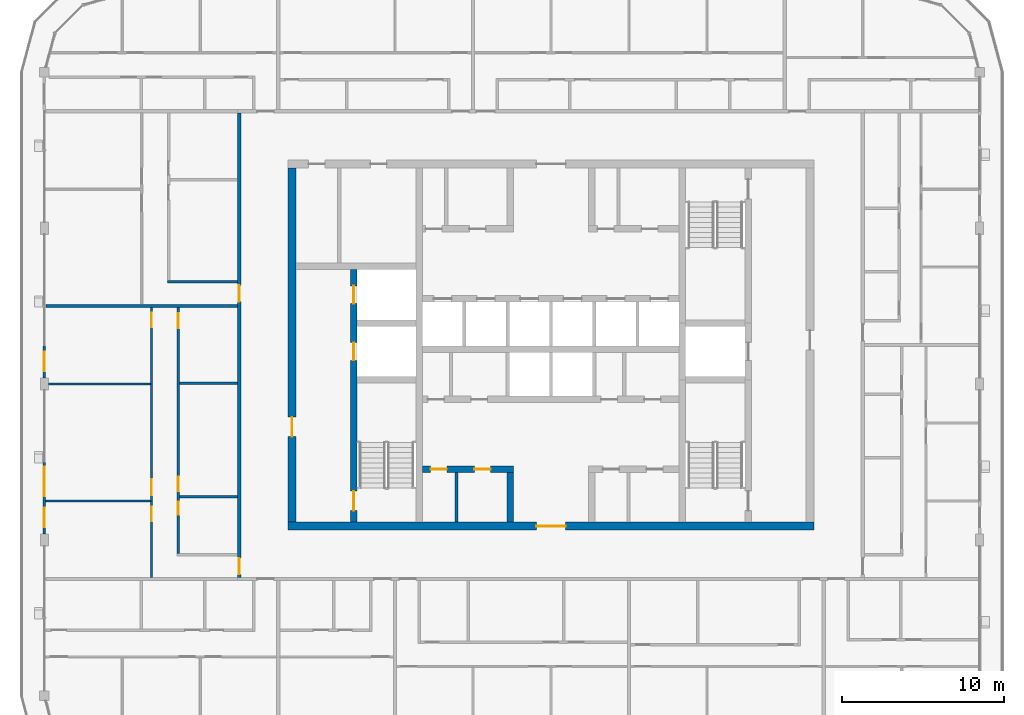
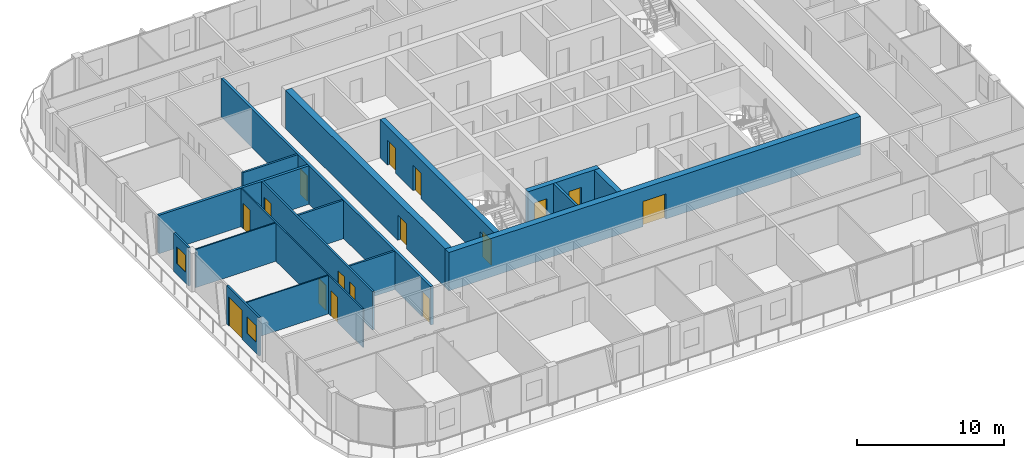
# One storey, part 10 of 22: 17 walls, 16 doors, 2 windows, 18 openings.
"""IFC4 building model written with IfcOpenShell, lengths in metres."""

from ifc_helpers import new_model, si_unit, direction, frame, frame_2d, origin, place, context, subcontext, project, spatial, rectangle, extrude, material, layer, layer_set, type_object, element, fill, save


model = new_model("IFC4")

# Units and contexts
model_context = context("Model", 3, precision=1e-05, world=origin(), true_north=direction((0.0, 1.0)))
body_context = subcontext(model_context, "Body", "Model", "MODEL_VIEW")
ifc_project = project(units=[si_unit("LENGTHUNIT", "METRE"), si_unit("AREAUNIT", "SQUARE_METRE"), si_unit("VOLUMEUNIT", "CUBIC_METRE"), si_unit("PLANEANGLEUNIT", "RADIAN"), si_unit("MASSUNIT", "GRAM", prefix="KILO")], contexts=[model_context])

# Site, building, storey
site_placement = place(None, origin())
site = spatial("IfcSite", under=ifc_project, at=site_placement, CompositionType="ELEMENT")
building_placement = place(site_placement, origin())
building = spatial("IfcBuilding", under=site, at=building_placement, Name="Madar Terraces", CompositionType="ELEMENT")
storey_placement = place(building_placement, frame((0.0, 0.0, 279.10009765625)))
storey = spatial("IfcBuildingStorey", under=building, at=storey_placement, Name="L73", CompositionType="ELEMENT", Elevation=279.10009765625)

# Wall, openings, doors
ifc_material_1 = material(Name="Concrete C50/60", Category="concrete")
ifc_layer_1 = layer(ifc_material_1, 0.39990234375)
ifc_layer_set_1 = layer_set([ifc_layer_1], Name="Concrete C50/60 (CIW6 RC wall 400)")
wall_type_1 = type_object("IfcWallType", Name="CIW6 RC wall 400", PredefinedType="SHEAR", material=ifc_layer_set_1)
wall_1_placement = place(storey_placement, frame((19.050048828125, 15.5, 0.0), z_axis=(0.0, 0.0, 1.0), x_axis=(0.0, 1.0, 0.0)))
wall_1 = element("IfcWall", 1, at=wall_1_placement, inside=storey, type_object=wall_type_1, Name="CORE SHAFT WALL", PredefinedType="SHEAR", context=body_context, shape_type="SweptSolid", body=[
    extrude(rectangle(XDim=15.550048828125, YDim=0.39990234375, at=frame_2d((7.77490234375, 0.0))), origin(), (0.0, 0.0, 1.0), 3.199951171875),
])
opening_1_placement = place(wall_1_placement, frame((9.949951171875, 0.0, 0.0)))
opening_1 = element("IfcOpeningElement", 2, at=opening_1_placement, cuts=wall_1, Name="Opening LD", PredefinedType="OPENING", context=body_context, shape_type="SweptSolid", body=[
    extrude(rectangle(XDim=1.10009765625, YDim=2.10009765625, at=frame_2d((0.550048828125, 1.050048828125))), frame((0.0, 0.2099609375, 0.0), z_axis=(0.0, -1.0, 0.0), x_axis=(1.0, 0.0, 0.0)), (0.0, 0.0, 1.0), 0.419921875),
])
opening_2_placement = place(wall_1_placement, frame((13.449951171875, 0.0, 0.0)))
opening_2 = element("IfcOpeningElement", 3, at=opening_2_placement, cuts=wall_1, Name="Opening LD", PredefinedType="OPENING", context=body_context, shape_type="SweptSolid", body=[
    extrude(rectangle(XDim=1.10009765625, YDim=2.10009765625, at=frame_2d((0.550048828125, 1.050048828125))), frame((0.0, 0.2099609375, 0.0), z_axis=(0.0, -1.0, 0.0), x_axis=(1.0, 0.0, 0.0)), (0.0, 0.0, 1.0), 0.419921875),
])
opening_3_placement = place(wall_1_placement, frame((0.699951171875, 0.0, 0.0)))
opening_3 = element("IfcOpeningElement", 4, at=opening_3_placement, cuts=wall_1, Name="Opening SD1", PredefinedType="OPENING", context=body_context, shape_type="SweptSolid", body=[
    extrude(rectangle(XDim=1.199951171875, YDim=2.10009765625, at=frame_2d((0.60009765625, 1.050048828125))), frame((0.0, 0.2099609375, 0.0), z_axis=(0.0, -1.0, 0.0), x_axis=(1.0, 0.0, 0.0)), (0.0, 0.0, 1.0), 0.419921875),
])
ifc_material_2 = material(Name="Stainless steel panel", Category="steel")
door_type_1 = type_object("IfcDoorType", Name="Lift landing door 1100 x 2100", OperationType="DOUBLE_DOOR_SLIDING", PredefinedType="DOOR", material=ifc_material_2)
door_1_placement = place(opening_1_placement, origin())
door_1 = element("IfcDoor", 5, at=door_1_placement, inside=storey, type_object=door_type_1, Name="LIFT LANDING DOOR", OperationType="DOUBLE_DOOR_SLIDING", OverallHeight=2.10009765625, OverallWidth=1.10009765625, PredefinedType="DOOR", context=body_context, shape_type="SweptSolid", body=[
    extrude(rectangle(XDim=1.10009765625, YDim=2.10009765625, at=frame_2d((0.550048828125, 1.050048828125))), frame((0.0, 0.02490234375, 0.0), z_axis=(0.0, -1.0, 0.0), x_axis=(1.0, 0.0, 0.0)), (0.0, 0.0, 1.0), 0.050048828125),
])
fill(opening_1, door_1)
door_2_placement = place(opening_2_placement, origin())
door_2 = element("IfcDoor", 6, at=door_2_placement, inside=storey, type_object=door_type_1, Name="LIFT LANDING DOOR", OperationType="DOUBLE_DOOR_SLIDING", OverallHeight=2.10009765625, OverallWidth=1.10009765625, PredefinedType="DOOR", context=body_context, shape_type="SweptSolid", body=[
    extrude(rectangle(XDim=1.10009765625, YDim=2.10009765625, at=frame_2d((0.550048828125, 1.050048828125))), frame((0.0, 0.02490234375, 0.0), z_axis=(0.0, -1.0, 0.0), x_axis=(1.0, 0.0, 0.0)), (0.0, 0.0, 1.0), 0.050048828125),
])
fill(opening_2, door_2)
ifc_material_3 = material(Name="Steel door leaf", Category="steel")
door_type_2 = type_object("IfcDoorType", Name="Stair door 1200 x 2100", OperationType="NOTDEFINED", PredefinedType="DOOR", material=ifc_material_3)
door_3_placement = place(opening_3_placement, frame((1.199951171875, 0.0, 0.0), z_axis=(0.0, 0.0, 1.0), x_axis=(-1.0, 0.0, 0.0)))
door_3 = element("IfcDoor", 7, at=door_3_placement, inside=storey, type_object=door_type_2, Name="STAIR DOOR", OperationType="SINGLE_SWING_LEFT", OverallHeight=2.10009765625, OverallWidth=1.199951171875, PredefinedType="DOOR", context=body_context, shape_type="SweptSolid", body=[
    extrude(rectangle(XDim=1.199951171875, YDim=2.10009765625, at=frame_2d((0.60009765625, 1.050048828125))), frame((0.0, 0.02490234375, 0.0), z_axis=(0.0, -1.0, 0.0), x_axis=(1.0, 0.0, 0.0)), (0.0, 0.0, 1.0), 0.050048828125),
])
fill(opening_3, door_3)

wall_2_placement = place(storey_placement, frame((23.300048828125, 18.75, 0.0), z_axis=(0.0, 0.0, 1.0), x_axis=(1.0, 0.0, 0.0)))
wall_2 = element("IfcWall", 8, at=wall_2_placement, inside=storey, type_object=wall_type_1, Name="CORE SHAFT WALL", PredefinedType="SHEAR", context=body_context, shape_type="SweptSolid", body=[
    extrude(rectangle(XDim=5.599853515625, YDim=0.39990234375, at=frame_2d((2.7998046875, 0.0))), origin(), (0.0, 0.0, 1.0), 3.199951171875),
])
opening_4_placement = place(wall_2_placement, frame((0.489990234375, 0.0, 0.0)))
opening_4 = element("IfcOpeningElement", 9, at=opening_4_placement, cuts=wall_2, Name="Opening KD2", PredefinedType="OPENING", context=body_context, shape_type="SweptSolid", body=[
    extrude(rectangle(XDim=1.0, YDim=2.10009765625, at=frame_2d((0.5, 1.050048828125))), frame((0.0, 0.2099609375, 0.0), z_axis=(0.0, -1.0, 0.0), x_axis=(1.0, 0.0, 0.0)), (0.0, 0.0, 1.0), 0.419921875),
])
opening_5_placement = place(wall_2_placement, frame((3.18994140625, 0.0, 0.0)))
opening_5 = element("IfcOpeningElement", 10, at=opening_5_placement, cuts=wall_2, Name="Opening KD2", PredefinedType="OPENING", context=body_context, shape_type="SweptSolid", body=[
    extrude(rectangle(XDim=1.0, YDim=2.10009765625, at=frame_2d((0.5, 1.050048828125))), frame((0.0, 0.2099609375, 0.0), z_axis=(0.0, -1.0, 0.0), x_axis=(1.0, 0.0, 0.0)), (0.0, 0.0, 1.0), 0.419921875),
])
ifc_material_4 = material(Name="Steel door leaf", Category="steel")
door_type_3 = type_object("IfcDoorType", Name="Service room door 1000 x 2100", OperationType="NOTDEFINED", PredefinedType="DOOR", material=ifc_material_4)
door_4_placement = place(opening_4_placement, origin())
door_4 = element("IfcDoor", 11, at=door_4_placement, inside=storey, type_object=door_type_3, Name="SERVICE ROOM DOOR", OperationType="SINGLE_SWING_RIGHT", OverallHeight=2.10009765625, OverallWidth=1.0, PredefinedType="DOOR", context=body_context, shape_type="SweptSolid", body=[
    extrude(rectangle(XDim=1.0, YDim=2.10009765625, at=frame_2d((0.5, 1.050048828125))), frame((0.0, 0.02490234375, 0.0), z_axis=(0.0, -1.0, 0.0), x_axis=(1.0, 0.0, 0.0)), (0.0, 0.0, 1.0), 0.050048828125),
])
fill(opening_4, door_4)
door_5_placement = place(opening_5_placement, origin())
door_5 = element("IfcDoor", 12, at=door_5_placement, inside=storey, type_object=door_type_3, Name="SERVICE ROOM DOOR", OperationType="SINGLE_SWING_LEFT", OverallHeight=2.10009765625, OverallWidth=1.0, PredefinedType="DOOR", context=body_context, shape_type="SweptSolid", body=[
    extrude(rectangle(XDim=1.0, YDim=2.10009765625, at=frame_2d((0.5, 1.050048828125))), frame((0.0, 0.02490234375, 0.0), z_axis=(0.0, -1.0, 0.0), x_axis=(1.0, 0.0, 0.0)), (0.0, 0.0, 1.0), 0.050048828125),
])
fill(opening_5, door_5)

# Wall
wall_3_placement = place(storey_placement, frame((28.699951171875, 15.5, 0.0), z_axis=(0.0, 0.0, 1.0), x_axis=(0.0, 1.0, 0.0)))
element("IfcWall", 13, at=wall_3_placement, inside=storey, type_object=wall_type_1, Name="CORE SHAFT WALL", PredefinedType="SHEAR", context=body_context, shape_type="SweptSolid", body=[
    extrude(rectangle(XDim=3.050048828125, YDim=0.39990234375, at=frame_2d((1.52490234375, 0.0))), origin(), (0.0, 0.0, 1.0), 3.199951171875),
])

# Wall, opening, door
ifc_material_5 = material(Name="Concrete C50/60", Category="concrete")
ifc_layer_2 = layer(ifc_material_5, 0.5)
ifc_layer_set_2 = layer_set([ifc_layer_2], Name="Concrete C50/60 (CRW6 RC wall 500)")
wall_type_2 = type_object("IfcWallType", Name="CRW6 RC wall 500", PredefinedType="SHEAR", material=ifc_layer_set_2)
wall_4_placement = place(storey_placement, frame((15.0, 15.25, 0.0), z_axis=(0.0, 0.0, 1.0), x_axis=(1.0, 0.0, 0.0)))
wall_4 = element("IfcWall", 14, at=wall_4_placement, inside=storey, type_object=wall_type_2, Name="CORE OUTER WALL", PredefinedType="SHEAR", context=body_context, shape_type="SweptSolid", body=[
    extrude(rectangle(XDim=32.39990234375, YDim=0.5, at=frame_2d((16.199951171875, 0.0))), origin(), (0.0, 0.0, 1.0), 3.199951171875),
])
opening_6_placement = place(wall_4_placement, frame((15.300048828125, 0.0, 0.0)))
opening_6 = element("IfcOpeningElement", 15, at=opening_6_placement, cuts=wall_4, Name="Opening KD1", PredefinedType="OPENING", context=body_context, shape_type="SweptSolid", body=[
    extrude(rectangle(XDim=1.800048828125, YDim=2.10009765625, at=frame_2d((0.89990234375, 1.050048828125))), frame((0.0, 0.260009765625, 0.0), z_axis=(0.0, -1.0, 0.0), x_axis=(1.0, 0.0, 0.0)), (0.0, 0.0, 1.0), 0.52001953125),
])
ifc_material_6 = material(Name="Steel door leaf", Category="steel")
door_type_4 = type_object("IfcDoorType", Name="Lobby door pair 1800 x 2100", OperationType="DOUBLE_DOOR_SINGLE_SWING", PredefinedType="DOOR", material=ifc_material_6)
door_6_placement = place(opening_6_placement, frame((1.800048828125, 0.0, 0.0), z_axis=(0.0, 0.0, 1.0), x_axis=(-1.0, 0.0, 0.0)))
door_6 = element("IfcDoor", 16, at=door_6_placement, inside=storey, type_object=door_type_4, Name="LIFT LOBBY DOOR", OperationType="DOUBLE_DOOR_SINGLE_SWING", OverallHeight=2.10009765625, OverallWidth=1.800048828125, PredefinedType="DOOR", context=body_context, shape_type="SweptSolid", body=[
    extrude(rectangle(XDim=1.800048828125, YDim=2.10009765625, at=frame_2d((0.89990234375, 1.050048828125))), frame((0.0, 0.02490234375, 0.0), z_axis=(0.0, -1.0, 0.0), x_axis=(1.0, 0.0, 0.0)), (0.0, 0.0, 1.0), 0.050048828125),
])
fill(opening_6, door_6)

wall_5_placement = place(storey_placement, frame((15.25, 15.5, 0.0), z_axis=(0.0, 0.0, 1.0), x_axis=(0.0, 1.0, 0.0)))
wall_5 = element("IfcWall", 17, at=wall_5_placement, inside=storey, type_object=wall_type_2, Name="CORE OUTER WALL", PredefinedType="SHEAR", context=body_context, shape_type="SweptSolid", body=[
    extrude(rectangle(XDim=21.800048828125, YDim=0.5, at=frame_2d((10.89990234375, 0.0))), origin(), (0.0, 0.0, 1.0), 3.199951171875),
])
opening_7_placement = place(wall_5_placement, frame((5.260009765625, 0.0, 0.0)))
opening_7 = element("IfcOpeningElement", 18, at=opening_7_placement, cuts=wall_5, Name="Opening SD1", PredefinedType="OPENING", context=body_context, shape_type="SweptSolid", body=[
    extrude(rectangle(XDim=1.199951171875, YDim=2.10009765625, at=frame_2d((0.60009765625, 1.050048828125))), frame((0.0, 0.260009765625, 0.0), z_axis=(0.0, -1.0, 0.0), x_axis=(1.0, 0.0, 0.0)), (0.0, 0.0, 1.0), 0.52001953125),
])
door_7_placement = place(opening_7_placement, frame((1.199951171875, 0.0, 0.0), z_axis=(0.0, 0.0, 1.0), x_axis=(-1.0, 0.0, 0.0)))
door_7 = element("IfcDoor", 19, at=door_7_placement, inside=storey, type_object=door_type_2, Name="STAIR DOOR", OperationType="SINGLE_SWING_RIGHT", OverallHeight=2.10009765625, OverallWidth=1.199951171875, PredefinedType="DOOR", context=body_context, shape_type="SweptSolid", body=[
    extrude(rectangle(XDim=1.199951171875, YDim=2.10009765625, at=frame_2d((0.60009765625, 1.050048828125))), frame((0.0, 0.02490234375, 0.0), z_axis=(0.0, -1.0, 0.0), x_axis=(1.0, 0.0, 0.0)), (0.0, 0.0, 1.0), 0.050048828125),
])
fill(opening_7, door_7)

# Wall
ifc_material_7 = material(Name="Masonry blockwork", Category="masonry")
ifc_layer_3 = layer(ifc_material_7, 0.199951171875)
ifc_layer_set_3 = layer_set([ifc_layer_3], Name="Core partition 200 blockwork")
wall_type_3 = type_object("IfcWallType", Name="Core partition 200 blockwork", PredefinedType="PARTITIONING", material=ifc_layer_set_3)
wall_6_placement = place(storey_placement, frame((25.3798828125, 15.5, 0.0), z_axis=(0.0, 0.0, 1.0), x_axis=(0.0, 1.0, 0.0)))
element("IfcWall", 20, at=wall_6_placement, inside=storey, type_object=wall_type_3, Name="SERVICE ROOM PARTITION", PredefinedType="PARTITIONING", context=body_context, shape_type="SweptSolid", body=[
    extrude(rectangle(XDim=3.050048828125, YDim=0.199951171875, at=frame_2d((1.52490234375, 0.0))), origin(), (0.0, 0.0, 1.0), 3.199951171875),
])

# Wall, opening, window
ifc_material_8 = material(Name="Aluminium composite panel, black, over insulated backing", Category="aluminium")
ifc_layer_4 = layer(ifc_material_8, 0.14990234375)
ifc_layer_set_4 = layer_set([ifc_layer_4], Name="Facade bay panel 150")
wall_type_4 = type_object("IfcWallType", Name="Facade bay panel 150", PredefinedType="SOLIDWALL", material=ifc_layer_set_4)
wall_7_placement = place(storey_placement, frame((0.0, 26.39990234375, 0.0), z_axis=(0.0, 0.0, 1.0), x_axis=(0.0, -1.0, 0.0)))
wall_7 = element("IfcWall", 21, at=wall_7_placement, inside=storey, type_object=wall_type_4, Name="Facade bay panel", PredefinedType="SOLIDWALL", context=body_context, shape_type="SweptSolid", body=[
    extrude(rectangle(XDim=2.02490234375, YDim=0.14990234375, at=frame_2d((1.012451171875, 0.0))), origin(), (0.0, 0.0, 1.0), 3.199951171875),
])
opening_8_placement = place(wall_7_placement, frame((0.41259765625, 0.0, 0.89990234375)))
opening_8 = element("IfcOpeningElement", 22, at=opening_8_placement, cuts=wall_7, Name="Opening W1", PredefinedType="OPENING", context=body_context, shape_type="SweptSolid", body=[
    extrude(rectangle(XDim=1.199951171875, YDim=1.39990234375, at=frame_2d((0.60009765625, 0.699951171875))), frame((0.0, 0.0849609375, 0.0), z_axis=(0.0, -1.0, 0.0), x_axis=(1.0, 0.0, 0.0)), (0.0, 0.0, 1.0), 0.169921875),
])
ifc_material_9 = material(Name="Glass, clear, with black aluminium frame", Category="aluminium")
window_type = type_object("IfcWindowType", Name="Vent window 1200 x 1400", PartitioningType="SINGLE_PANEL", PredefinedType="WINDOW", material=ifc_material_9)
window_1_placement = place(opening_8_placement, origin())
window_1 = element("IfcWindow", 23, at=window_1_placement, inside=storey, type_object=window_type, Name="Operable vent window", OverallHeight=1.39990234375, OverallWidth=1.199951171875, PartitioningType="SINGLE_PANEL", PredefinedType="WINDOW", context=body_context, shape_type="SweptSolid", body=[
    extrude(rectangle(XDim=1.199951171875, YDim=1.39990234375, at=frame_2d((0.60009765625, 0.699951171875))), frame((0.0, 0.030029296875, 0.0), z_axis=(0.0, -1.0, 0.0), x_axis=(1.0, 0.0, 0.0)), (0.0, 0.0, 1.0), 0.06005859375),
])
fill(opening_8, window_1)

# Wall, openings, door, window
wall_8_placement = place(storey_placement, frame((0.0, 19.199951171875, 0.0), z_axis=(0.0, 0.0, 1.0), x_axis=(0.0, -1.0, 0.0)))
wall_8 = element("IfcWall", 24, at=wall_8_placement, inside=storey, type_object=wall_type_4, Name="Facade bay panel", PredefinedType="SOLIDWALL", context=body_context, shape_type="SweptSolid", body=[
    extrude(rectangle(XDim=4.425048828125, YDim=0.14990234375, at=frame_2d((2.21240234375, 0.0))), origin(), (0.0, 0.0, 1.0), 3.199951171875),
])
opening_9_placement = place(wall_8_placement, frame((0.300048828125, 0.0, 0.0)))
opening_9 = element("IfcOpeningElement", 25, at=opening_9_placement, cuts=wall_8, Name="Opening ED1", PredefinedType="OPENING", context=body_context, shape_type="SweptSolid", body=[
    extrude(rectangle(XDim=1.800048828125, YDim=2.39990234375, at=frame_2d((0.89990234375, 1.199951171875))), frame((0.0, 0.0849609375, 0.0), z_axis=(0.0, -1.0, 0.0), x_axis=(1.0, 0.0, 0.0)), (0.0, 0.0, 1.0), 0.169921875),
])
opening_10_placement = place(wall_8_placement, frame((2.8125, 0.0, 0.89990234375)))
opening_10 = element("IfcOpeningElement", 26, at=opening_10_placement, cuts=wall_8, Name="Opening W1", PredefinedType="OPENING", context=body_context, shape_type="SweptSolid", body=[
    extrude(rectangle(XDim=1.199951171875, YDim=1.39990234375, at=frame_2d((0.60009765625, 0.699951171875))), frame((0.0, 0.0849609375, 0.0), z_axis=(0.0, -1.0, 0.0), x_axis=(1.0, 0.0, 0.0)), (0.0, 0.0, 1.0), 0.169921875),
])
ifc_material_10 = material(Name="Glass, clear, with black aluminium frame", Category="aluminium")
door_type_5 = type_object("IfcDoorType", Name="Balcony and terrace sliding door 1800 x 2400", OperationType="SLIDING_TO_LEFT", PredefinedType="DOOR", material=ifc_material_10)
door_8_placement = place(opening_9_placement, origin())
door_8 = element("IfcDoor", 27, at=door_8_placement, inside=storey, type_object=door_type_5, Name="Balcony door", OperationType="SLIDING_TO_LEFT", OverallHeight=2.39990234375, OverallWidth=1.800048828125, PredefinedType="DOOR", context=body_context, shape_type="SweptSolid", body=[
    extrude(rectangle(XDim=1.800048828125, YDim=2.39990234375, at=frame_2d((0.89990234375, 1.199951171875))), frame((0.0, 0.02490234375, 0.0), z_axis=(0.0, -1.0, 0.0), x_axis=(1.0, 0.0, 0.0)), (0.0, 0.0, 1.0), 0.050048828125),
])
fill(opening_9, door_8)
window_2_placement = place(opening_10_placement, origin())
window_2 = element("IfcWindow", 28, at=window_2_placement, inside=storey, type_object=window_type, Name="Operable vent window", OverallHeight=1.39990234375, OverallWidth=1.199951171875, PartitioningType="SINGLE_PANEL", PredefinedType="WINDOW", context=body_context, shape_type="SweptSolid", body=[
    extrude(rectangle(XDim=1.199951171875, YDim=1.39990234375, at=frame_2d((0.60009765625, 0.699951171875))), frame((0.0, 0.030029296875, 0.0), z_axis=(0.0, -1.0, 0.0), x_axis=(1.0, 0.0, 0.0)), (0.0, 0.0, 1.0), 0.06005859375),
])
fill(opening_10, window_2)

# Walls
ifc_material_11 = material(Name="Gypsum board on steel studs", Category="steel")
ifc_layer_5 = layer(ifc_material_11, 0.10009765625)
ifc_layer_set_5 = layer_set([ifc_layer_5], Name="Flat partition 100")
wall_type_5 = type_object("IfcWallType", Name="Flat partition 100", PredefinedType="PARTITIONING", material=ifc_layer_set_5)
wall_9_placement = place(storey_placement, frame((6.550048828125, 16.800048828125, 0.0), z_axis=(0.0, 0.0, 1.0), x_axis=(-1.0, 0.0, 0.0)))
element("IfcWall", 29, at=wall_9_placement, inside=storey, type_object=wall_type_5, Name="Flat partition 100", PredefinedType="PARTITIONING", context=body_context, shape_type="SweptSolid", body=[
    extrude(rectangle(XDim=6.449951171875, YDim=0.10009765625, at=frame_2d((3.22509765625, 0.0))), origin(), (0.0, 0.0, 1.0), 3.199951171875),
])
wall_10_placement = place(storey_placement, frame((6.550048828125, 24.0, 0.0), z_axis=(0.0, 0.0, 1.0), x_axis=(-1.0, 0.0, 0.0)))
element("IfcWall", 30, at=wall_10_placement, inside=storey, type_object=wall_type_5, Name="Flat partition 100", PredefinedType="PARTITIONING", context=body_context, shape_type="SweptSolid", body=[
    extrude(rectangle(XDim=6.300048828125, YDim=0.10009765625, at=frame_2d((3.14990234375, 0.0))), origin(), (0.0, 0.0, 1.0), 3.199951171875),
])

# Wall, openings, doors
wall_11_placement = place(storey_placement, frame((6.60009765625, 12.10009765625, 0.0), z_axis=(0.0, 0.0, 1.0), x_axis=(0.0, 1.0, 0.0)))
wall_11 = element("IfcWall", 31, at=wall_11_placement, inside=storey, type_object=wall_type_5, Name="Flat partition 100", PredefinedType="PARTITIONING", context=body_context, shape_type="SweptSolid", body=[
    extrude(rectangle(XDim=16.599853515625, YDim=0.10009765625, at=frame_2d((8.2998046875, 0.0))), origin(), (0.0, 0.0, 1.0), 3.199951171875),
])
opening_11_placement = place(wall_11_placement, frame((3.449951171875, 0.0, 0.0)))
opening_11 = element("IfcOpeningElement", 32, at=opening_11_placement, cuts=wall_11, Name="Opening D2", PredefinedType="OPENING", context=body_context, shape_type="SweptSolid", body=[
    extrude(rectangle(XDim=0.89990234375, YDim=2.10009765625, at=frame_2d((0.449951171875, 1.050048828125))), frame((0.0, 0.06005859375, 0.0), z_axis=(0.0, -1.0, 0.0), x_axis=(1.0, 0.0, 0.0)), (0.0, 0.0, 1.0), 0.1201171875),
])
opening_12_placement = place(wall_11_placement, frame((5.050048828125, 0.0, 0.0)))
opening_12 = element("IfcOpeningElement", 33, at=opening_12_placement, cuts=wall_11, Name="Opening D3", PredefinedType="OPENING", context=body_context, shape_type="SweptSolid", body=[
    extrude(rectangle(XDim=1.0, YDim=2.10009765625, at=frame_2d((0.5, 1.050048828125))), frame((0.0, 0.06005859375, 0.0), z_axis=(0.0, -1.0, 0.0), x_axis=(1.0, 0.0, 0.0)), (0.0, 0.0, 1.0), 0.1201171875),
])
opening_13_placement = place(wall_11_placement, frame((15.39990234375, 0.0, 0.0)))
opening_13 = element("IfcOpeningElement", 34, at=opening_13_placement, cuts=wall_11, Name="Opening D2", PredefinedType="OPENING", context=body_context, shape_type="SweptSolid", body=[
    extrude(rectangle(XDim=0.89990234375, YDim=2.10009765625, at=frame_2d((0.449951171875, 1.050048828125))), frame((0.0, 0.06005859375, 0.0), z_axis=(0.0, -1.0, 0.0), x_axis=(1.0, 0.0, 0.0)), (0.0, 0.0, 1.0), 0.1201171875),
])
ifc_material_12 = material(Name="Timber door leaf", Category="wood")
door_type_6 = type_object("IfcDoorType", Name="Flat living room door 1000", OperationType="NOTDEFINED", PredefinedType="DOOR", material=ifc_material_12)
door_9_placement = place(opening_12_placement, origin())
door_9 = element("IfcDoor", 35, at=door_9_placement, inside=storey, type_object=door_type_6, Name="Flat living room door 1000", OperationType="SINGLE_SWING_LEFT", OverallHeight=2.10009765625, OverallWidth=1.0, PredefinedType="DOOR", context=body_context, shape_type="SweptSolid", body=[
    extrude(rectangle(XDim=1.0, YDim=2.10009765625, at=frame_2d((0.5, 1.050048828125))), frame((0.0, 0.02490234375, 0.0), z_axis=(0.0, -1.0, 0.0), x_axis=(1.0, 0.0, 0.0)), (0.0, 0.0, 1.0), 0.050048828125),
])
fill(opening_12, door_9)
ifc_material_13 = material(Name="Timber door leaf", Category="wood")
door_type_7 = type_object("IfcDoorType", Name="Flat room door 900", OperationType="NOTDEFINED", PredefinedType="DOOR", material=ifc_material_13)
door_10_placement = place(opening_11_placement, origin())
door_10 = element("IfcDoor", 36, at=door_10_placement, inside=storey, type_object=door_type_7, Name="Flat room door 900", OperationType="SINGLE_SWING_RIGHT", OverallHeight=2.10009765625, OverallWidth=0.89990234375, PredefinedType="DOOR", context=body_context, shape_type="SweptSolid", body=[
    extrude(rectangle(XDim=0.89990234375, YDim=2.10009765625, at=frame_2d((0.449951171875, 1.050048828125))), frame((0.0, 0.02490234375, 0.0), z_axis=(0.0, -1.0, 0.0), x_axis=(1.0, 0.0, 0.0)), (0.0, 0.0, 1.0), 0.050048828125),
])
fill(opening_11, door_10)
door_11_placement = place(opening_13_placement, origin())
door_11 = element("IfcDoor", 37, at=door_11_placement, inside=storey, type_object=door_type_7, Name="Flat room door 900", OperationType="SINGLE_SWING_RIGHT", OverallHeight=2.10009765625, OverallWidth=0.89990234375, PredefinedType="DOOR", context=body_context, shape_type="SweptSolid", body=[
    extrude(rectangle(XDim=0.89990234375, YDim=2.10009765625, at=frame_2d((0.449951171875, 1.050048828125))), frame((0.0, 0.02490234375, 0.0), z_axis=(0.0, -1.0, 0.0), x_axis=(1.0, 0.0, 0.0)), (0.0, 0.0, 1.0), 0.050048828125),
])
fill(opening_13, door_11)

ifc_material_14 = material(Name="Lightweight blockwork", Category="masonry")
ifc_layer_6 = layer(ifc_material_14, 0.199951171875)
ifc_layer_set_6 = layer_set([ifc_layer_6], Name="Flat party and entrance wall 200")
wall_type_6 = type_object("IfcWallType", Name="Flat party and entrance wall 200", PredefinedType="PARTITIONING", material=ifc_layer_set_6)
wall_12_placement = place(storey_placement, frame((12.0, 12.10009765625, 0.0), z_axis=(0.0, 0.0, 1.0), x_axis=(0.0, 1.0, 0.0)))
wall_12 = element("IfcWall", 38, at=wall_12_placement, inside=storey, type_object=wall_type_6, Name="Flat party and entrance wall 200", PredefinedType="PARTITIONING", context=body_context, shape_type="SweptSolid", body=[
    extrude(rectangle(XDim=28.599853515625, YDim=0.199951171875, at=frame_2d((14.2998046875, 0.0))), origin(), (0.0, 0.0, 1.0), 3.199951171875),
])
opening_14_placement = place(wall_12_placement, frame((16.97509765625, 0.0, 0.0)))
opening_14 = element("IfcOpeningElement", 39, at=opening_14_placement, cuts=wall_12, Name="Opening D1", PredefinedType="OPENING", context=body_context, shape_type="SweptSolid", body=[
    extrude(rectangle(XDim=1.0, YDim=2.10009765625, at=frame_2d((0.5, 1.050048828125))), frame((0.0, 0.10986328125, 0.0), z_axis=(0.0, -1.0, 0.0), x_axis=(1.0, 0.0, 0.0)), (0.0, 0.0, 1.0), 0.219970703125),
])
opening_15_placement = place(wall_12_placement, frame((0.175048828125, 0.0, 0.0)))
opening_15 = element("IfcOpeningElement", 40, at=opening_15_placement, cuts=wall_12, Name="Opening D1", PredefinedType="OPENING", context=body_context, shape_type="SweptSolid", body=[
    extrude(rectangle(XDim=1.0, YDim=2.10009765625, at=frame_2d((0.5, 1.050048828125))), frame((0.0, 0.10986328125, 0.0), z_axis=(0.0, -1.0, 0.0), x_axis=(1.0, 0.0, 0.0)), (0.0, 0.0, 1.0), 0.219970703125),
])
ifc_material_15 = material(Name="Timber fire door leaf", Category="wood")
door_type_8 = type_object("IfcDoorType", Name="Flat entrance door 1000 FD30S", OperationType="NOTDEFINED", PredefinedType="DOOR", material=ifc_material_15)
door_12_placement = place(opening_14_placement, origin())
door_12 = element("IfcDoor", 41, at=door_12_placement, inside=storey, type_object=door_type_8, Name="Flat entrance door 1000 FD30S", OperationType="SINGLE_SWING_LEFT", OverallHeight=2.10009765625, OverallWidth=1.0, PredefinedType="DOOR", context=body_context, shape_type="SweptSolid", body=[
    extrude(rectangle(XDim=1.0, YDim=2.10009765625, at=frame_2d((0.5, 1.050048828125))), frame((0.0, 0.02490234375, 0.0), z_axis=(0.0, -1.0, 0.0), x_axis=(1.0, 0.0, 0.0)), (0.0, 0.0, 1.0), 0.050048828125),
])
fill(opening_14, door_12)
door_13_placement = place(opening_15_placement, origin())
door_13 = element("IfcDoor", 42, at=door_13_placement, inside=storey, type_object=door_type_8, Name="Flat entrance door 1000 FD30S", OperationType="SINGLE_SWING_LEFT", OverallHeight=2.10009765625, OverallWidth=1.0, PredefinedType="DOOR", context=body_context, shape_type="SweptSolid", body=[
    extrude(rectangle(XDim=1.0, YDim=2.10009765625, at=frame_2d((0.5, 1.050048828125))), frame((0.0, 0.02490234375, 0.0), z_axis=(0.0, -1.0, 0.0), x_axis=(1.0, 0.0, 0.0)), (0.0, 0.0, 1.0), 0.050048828125),
])
fill(opening_15, door_13)

# Walls
wall_13_placement = place(storey_placement, frame((0.10009765625, 28.800048828125, 0.0), z_axis=(0.0, 0.0, 1.0), x_axis=(1.0, 0.0, 0.0)))
element("IfcWall", 43, at=wall_13_placement, inside=storey, type_object=wall_type_6, Name="Flat party and entrance wall 200", PredefinedType="PARTITIONING", context=body_context, shape_type="SweptSolid", body=[
    extrude(rectangle(XDim=11.7998046875, YDim=0.199951171875, at=frame_2d((5.89990234375, 0.0))), origin(), (0.0, 0.0, 1.0), 3.199951171875),
])
ifc_material_16 = material(Name="Lightweight blockwork", Category="masonry")
ifc_layer_7 = layer(ifc_material_16, 0.14990234375)
ifc_layer_set_7 = layer_set([ifc_layer_7], Name="Flat wet-room partition 150")
wall_type_7 = type_object("IfcWallType", Name="Flat wet-room partition 150", PredefinedType="PARTITIONING", material=ifc_layer_set_7)
wall_14_placement = place(storey_placement, frame((11.89990234375, 30.300048828125, 0.0), z_axis=(0.0, 0.0, 1.0), x_axis=(-1.0, 0.0, 0.0)))
element("IfcWall", 44, at=wall_14_placement, inside=storey, type_object=wall_type_7, Name="Flat wet-room partition 150", PredefinedType="PARTITIONING", context=body_context, shape_type="SweptSolid", body=[
    extrude(rectangle(XDim=4.324951171875, YDim=0.14990234375, at=frame_2d((2.16259765625, 0.0))), origin(), (0.0, 0.0, 1.0), 3.199951171875),
])
for number, where, z_axis, x_axis, name in (
    (45, (11.89990234375, 17.0654296875, 0.0), (0.0, 0.0, 1.0), (-1.0, 0.0, 0.0), "Flat wet-room partition 150"),
    (46, (11.89990234375, 24.046142578125, 0.0), (0.0, 0.0, 1.0), (-1.0, 0.0, 0.0), "Flat wet-room partition 150"),
):
    element("IfcWall", number, at=place(storey_placement, frame(where, z_axis=z_axis, x_axis=x_axis)), inside=storey, type_object=wall_type_7, Name=name, PredefinedType="PARTITIONING", context=body_context, shape_type="SweptSolid", body=[
        extrude(rectangle(XDim=3.574951171875, YDim=0.14990234375, at=frame_2d((1.78759765625, 0.0))), origin(), (0.0, 0.0, 1.0), 3.199951171875),
    ])

# Wall, openings, doors
wall_15_placement = place(storey_placement, frame((8.25, 28.699951171875, 0.0), z_axis=(0.0, 0.0, 1.0), x_axis=(0.0, -1.0, 0.0)))
wall_15 = element("IfcWall", 47, at=wall_15_placement, inside=storey, type_object=wall_type_7, Name="Flat wet-room partition 150", PredefinedType="PARTITIONING", context=body_context, shape_type="SweptSolid", body=[
    extrude(rectangle(XDim=15.125, YDim=0.14990234375, at=frame_2d((7.5625, 0.0))), origin(), (0.0, 0.0, 1.0), 3.199951171875),
])
opening_16_placement = place(wall_15_placement, frame((11.959716796875, 0.0, 0.0)))
opening_16 = element("IfcOpeningElement", 48, at=opening_16_placement, cuts=wall_15, Name="Opening D4", PredefinedType="OPENING", context=body_context, shape_type="SweptSolid", body=[
    extrude(rectangle(XDim=0.800048828125, YDim=2.10009765625, at=frame_2d((0.39990234375, 1.050048828125))), frame((0.0, 0.0849609375, 0.0), z_axis=(0.0, -1.0, 0.0), x_axis=(1.0, 0.0, 0.0)), (0.0, 0.0, 1.0), 0.169921875),
])
opening_17_placement = place(wall_15_placement, frame((10.40966796875, 0.0, 0.0)))
opening_17 = element("IfcOpeningElement", 49, at=opening_17_placement, cuts=wall_15, Name="Opening D2", PredefinedType="OPENING", context=body_context, shape_type="SweptSolid", body=[
    extrude(rectangle(XDim=0.89990234375, YDim=2.10009765625, at=frame_2d((0.449951171875, 1.050048828125))), frame((0.0, 0.0849609375, 0.0), z_axis=(0.0, -1.0, 0.0), x_axis=(1.0, 0.0, 0.0)), (0.0, 0.0, 1.0), 0.169921875),
])
opening_18_placement = place(wall_15_placement, frame((0.35009765625, 0.0, 0.0)))
opening_18 = element("IfcOpeningElement", 50, at=opening_18_placement, cuts=wall_15, Name="Opening D5", PredefinedType="OPENING", context=body_context, shape_type="SweptSolid", body=[
    extrude(rectangle(XDim=0.89990234375, YDim=2.10009765625, at=frame_2d((0.449951171875, 1.050048828125))), frame((0.0, 0.0849609375, 0.0), z_axis=(0.0, -1.0, 0.0), x_axis=(1.0, 0.0, 0.0)), (0.0, 0.0, 1.0), 0.169921875),
])
ifc_material_17 = material(Name="Timber door leaf", Category="wood")
door_type_9 = type_object("IfcDoorType", Name="Flat accessible bathroom door 900", OperationType="NOTDEFINED", PredefinedType="DOOR", material=ifc_material_17)
door_14_placement = place(opening_18_placement, origin())
door_14 = element("IfcDoor", 51, at=door_14_placement, inside=storey, type_object=door_type_9, Name="Flat accessible bathroom door 900", OperationType="SINGLE_SWING_LEFT", OverallHeight=2.10009765625, OverallWidth=0.89990234375, PredefinedType="DOOR", context=body_context, shape_type="SweptSolid", body=[
    extrude(rectangle(XDim=0.89990234375, YDim=2.10009765625, at=frame_2d((0.449951171875, 1.050048828125))), frame((0.0, 0.02490234375, 0.0), z_axis=(0.0, -1.0, 0.0), x_axis=(1.0, 0.0, 0.0)), (0.0, 0.0, 1.0), 0.050048828125),
])
fill(opening_18, door_14)
ifc_material_18 = material(Name="Timber door leaf", Category="wood")
door_type_10 = type_object("IfcDoorType", Name="Flat bathroom door 800", OperationType="NOTDEFINED", PredefinedType="DOOR", material=ifc_material_18)
door_15_placement = place(opening_16_placement, origin())
door_15 = element("IfcDoor", 52, at=door_15_placement, inside=storey, type_object=door_type_10, Name="Flat bathroom door 800", OperationType="SINGLE_SWING_LEFT", OverallHeight=2.10009765625, OverallWidth=0.800048828125, PredefinedType="DOOR", context=body_context, shape_type="SweptSolid", body=[
    extrude(rectangle(XDim=0.800048828125, YDim=2.10009765625, at=frame_2d((0.39990234375, 1.050048828125))), frame((0.0, 0.02490234375, 0.0), z_axis=(0.0, -1.0, 0.0), x_axis=(1.0, 0.0, 0.0)), (0.0, 0.0, 1.0), 0.050048828125),
])
fill(opening_16, door_15)
door_16_placement = place(opening_17_placement, origin())
door_16 = element("IfcDoor", 53, at=door_16_placement, inside=storey, type_object=door_type_7, Name="Flat room door 900", OperationType="SINGLE_SWING_RIGHT", OverallHeight=2.10009765625, OverallWidth=0.89990234375, PredefinedType="DOOR", context=body_context, shape_type="SweptSolid", body=[
    extrude(rectangle(XDim=0.89990234375, YDim=2.10009765625, at=frame_2d((0.449951171875, 1.050048828125))), frame((0.0, 0.02490234375, 0.0), z_axis=(0.0, -1.0, 0.0), x_axis=(1.0, 0.0, 0.0)), (0.0, 0.0, 1.0), 0.050048828125),
])
fill(opening_17, door_16)

save(model, "model.ifc")
